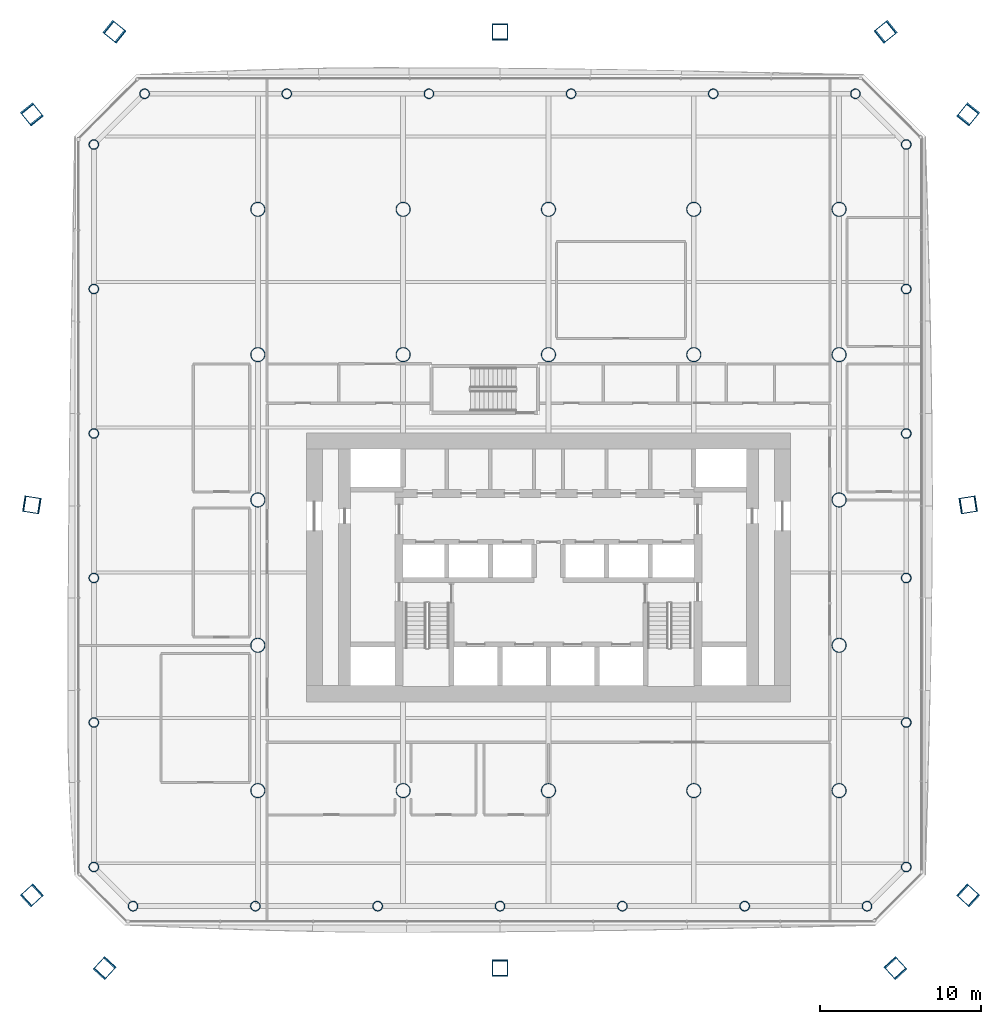
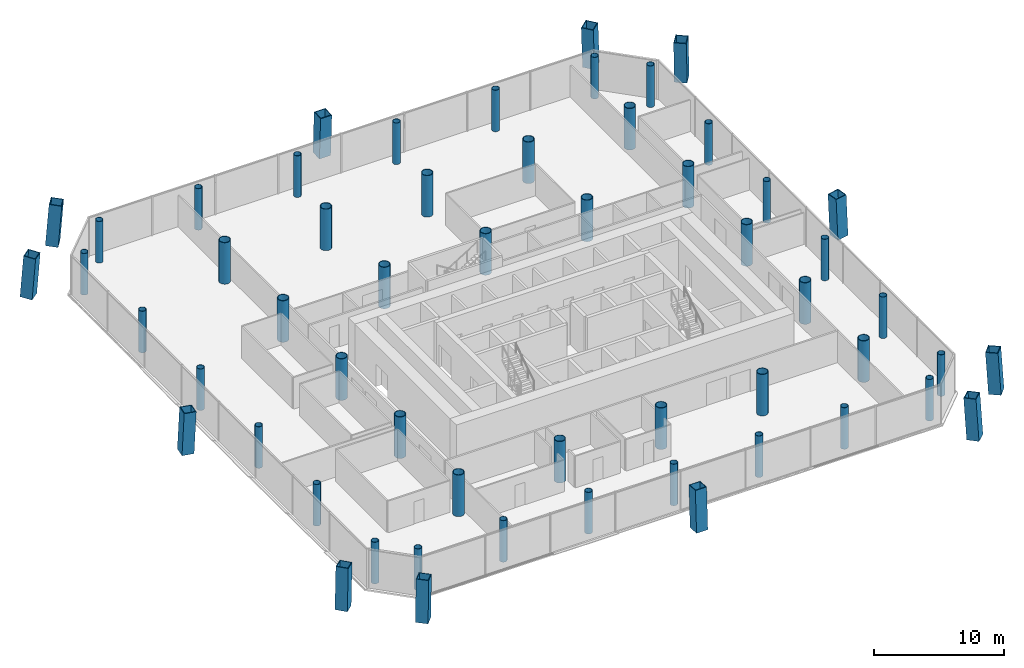
# One storey, part 1 of 20: 56 columns.
"""IFC4 building model written with IfcOpenShell, lengths in metres."""

from ifc_helpers import new_model, si_unit, direction, frame, origin, origin_2d, place, context, subcontext, project, spatial, hollow_rectangle, hollow_circle, extrude, material, material_profile, profile_set, type_object, element, save


model = new_model("IFC4")

# Units and contexts
model_context = context("Model", 3, precision=1e-05, world=origin(), true_north=direction((0.0, 1.0)))
body_context = subcontext(model_context, "Body", "Model", "MODEL_VIEW")
ifc_project = project(units=[si_unit("LENGTHUNIT", "METRE"), si_unit("AREAUNIT", "SQUARE_METRE"), si_unit("VOLUMEUNIT", "CUBIC_METRE"), si_unit("PLANEANGLEUNIT", "RADIAN"), si_unit("MASSUNIT", "GRAM", prefix="KILO")], contexts=[model_context])

# Site, building, storey
site_placement = place(None, origin())
site = spatial("IfcSite", under=ifc_project, at=site_placement, CompositionType="ELEMENT")
building_placement = place(site_placement, origin())
building = spatial("IfcBuilding", under=site, at=building_placement, Name="Tskaro Facet Tower", CompositionType="ELEMENT")
storey_placement = place(building_placement, frame((0.0, 0.0, 49.800048828125)))
storey = spatial("IfcBuildingStorey", under=building, at=storey_placement, Name="L11", CompositionType="ELEMENT", Elevation=49.800048828125)

# Columns
ifc_material_1 = material(Name="Steel S460M", Category="steel")
ifc_material_profile_1 = material_profile(ifc_material_1, hollow_rectangle(XDim=1.0, YDim=1.0, WallThickness=0.06005859375, at=origin_2d()), Name="BOX 1000x1000x60")
ifc_profile_set_1 = profile_set([ifc_material_profile_1], Name="Steel S460M")
column_type_1 = type_object("IfcColumnType", Name="BOX 1000x1000x60 mega column", PredefinedType="COLUMN", material=ifc_profile_set_1)
column_1_placement = place(storey_placement, frame((-27.513916015625, -29.02392578125, 0.0), z_axis=(0.042734014709, 0.04654508912, 0.998001682697), x_axis=(-0.736620357353, 0.676306475744, 0.0)))
element("IfcColumn", 1, at=column_1_placement, inside=storey, type_object=column_type_1, Name="BOX 1000x1000x60 MC01/1", PredefinedType="COLUMN", context=body_context, shape_type="SweptSolid", body=[
    extrude(hollow_rectangle(XDim=1.0, YDim=1.0, WallThickness=0.06005859375, at=origin_2d()), origin(), (0.0, 0.0, 1.0), 3.90771484375),
])
column_2_placement = place(storey_placement, frame((-3.0, -29.02392578125, 0.0), z_axis=(0.0, 0.046587647648, 0.998914206069), x_axis=(-1.0, 0.0, 0.0)))
element("IfcColumn", 2, at=column_2_placement, inside=storey, type_object=column_type_1, Name="BOX 1000x1000x60 MC02/1", PredefinedType="COLUMN", context=body_context, shape_type="SweptSolid", body=[
    extrude(hollow_rectangle(XDim=1.0, YDim=1.0, WallThickness=0.06005859375, at=origin_2d()), origin(), (0.0, 0.0, 1.0), 3.904052734375),
])
for number, where, z_axis, x_axis, name in (
    (3, (21.513916015625, -29.02392578125, 0.0), (-0.042734014709, 0.04654508912, 0.998001682697), (-0.736620357353, -0.676306475744, 0.0), "BOX 1000x1000x60 MC03/1"),
    (4, (26.02392578125, -24.513916015625, 0.0), (-0.04654508912, 0.042734014709, 0.998001682697), (-0.676306475744, -0.736620357353, 0.0), "BOX 1000x1000x60 MC04/1"),
):
    element("IfcColumn", number, at=place(storey_placement, frame(where, z_axis=z_axis, x_axis=x_axis)), inside=storey, type_object=column_type_1, Name=name, PredefinedType="COLUMN", context=body_context, shape_type="SweptSolid", body=[
        extrude(hollow_rectangle(XDim=1.0, YDim=1.0, WallThickness=0.06005859375, at=origin_2d()), origin(), (0.0, 0.0, 1.0), 3.90771484375),
    ])
column_3_placement = place(storey_placement, frame((26.02392578125, -0.299072265625, 0.0), z_axis=(-0.046586379365, -0.007378782235, 0.998887012044), x_axis=(0.15643911056, -0.987687604806, 0.0)))
element("IfcColumn", 5, at=column_3_placement, inside=storey, type_object=column_type_1, Name="BOX 1000x1000x60 MC05/1", PredefinedType="COLUMN", context=body_context, shape_type="SweptSolid", body=[
    extrude(hollow_rectangle(XDim=1.0, YDim=1.0, WallThickness=0.06005859375, at=origin_2d()), origin(), (0.0, 0.0, 1.0), 3.904296875),
])
for number, where, z_axis, x_axis, name in (
    (6, (26.02392578125, 23.916015625, 0.0), (-0.046509736201, -0.057809417077, 0.99724365916), (0.779141980058, -0.626847489356, 0.0), "BOX 1000x1000x60 MC06/1"),
    (7, (20.916015625, 29.02392578125, 0.0), (-0.057809417077, -0.046509736201, 0.99724365916), (0.626847489356, -0.779141980058, 0.0), "BOX 1000x1000x60 MC07/1"),
):
    element("IfcColumn", number, at=place(storey_placement, frame(where, z_axis=z_axis, x_axis=x_axis)), inside=storey, type_object=column_type_1, Name=name, PredefinedType="COLUMN", context=body_context, shape_type="SweptSolid", body=[
        extrude(hollow_rectangle(XDim=1.0, YDim=1.0, WallThickness=0.06005859375, at=origin_2d()), origin(), (0.0, 0.0, 1.0), 3.91064453125),
    ])
column_4_placement = place(storey_placement, frame((-3.0, 29.02392578125, 0.0), z_axis=(0.0, -0.046587647648, 0.998914206069), x_axis=(1.0, 0.0, 0.0)))
element("IfcColumn", 8, at=column_4_placement, inside=storey, type_object=column_type_1, Name="BOX 1000x1000x60 MC08/1", PredefinedType="COLUMN", context=body_context, shape_type="SweptSolid", body=[
    extrude(hollow_rectangle(XDim=1.0, YDim=1.0, WallThickness=0.06005859375, at=origin_2d()), origin(), (0.0, 0.0, 1.0), 3.904052734375),
])
for number, where, z_axis, x_axis, name in (
    (9, (-26.916015625, 29.02392578125, 0.0), (0.057809417077, -0.046509736201, 0.99724365916), (0.626847489356, 0.779141980058, 0.0), "BOX 1000x1000x60 MC09/1"),
    (10, (-32.02392578125, 23.916015625, 0.0), (0.046509736201, -0.057809417077, 0.99724365916), (0.779141980058, 0.626847489356, 0.0), "BOX 1000x1000x60 MC10/1"),
):
    element("IfcColumn", number, at=place(storey_placement, frame(where, z_axis=z_axis, x_axis=x_axis)), inside=storey, type_object=column_type_1, Name=name, PredefinedType="COLUMN", context=body_context, shape_type="SweptSolid", body=[
        extrude(hollow_rectangle(XDim=1.0, YDim=1.0, WallThickness=0.06005859375, at=origin_2d()), origin(), (0.0, 0.0, 1.0), 3.91064453125),
    ])
column_5_placement = place(storey_placement, frame((-32.02392578125, -0.299072265625, 0.0), z_axis=(0.046586379365, -0.007378782235, 0.998887012044), x_axis=(0.15643911056, 0.987687604806, 0.0)))
element("IfcColumn", 11, at=column_5_placement, inside=storey, type_object=column_type_1, Name="BOX 1000x1000x60 MC11/1", PredefinedType="COLUMN", context=body_context, shape_type="SweptSolid", body=[
    extrude(hollow_rectangle(XDim=1.0, YDim=1.0, WallThickness=0.06005859375, at=origin_2d()), origin(), (0.0, 0.0, 1.0), 3.904296875),
])
column_6_placement = place(storey_placement, frame((-32.02392578125, -24.513916015625, 0.0), z_axis=(0.04654508912, 0.042734014709, 0.998001682697), x_axis=(-0.676306475744, 0.736620357353, 0.0)))
element("IfcColumn", 12, at=column_6_placement, inside=storey, type_object=column_type_1, Name="BOX 1000x1000x60 MC12/1", PredefinedType="COLUMN", context=body_context, shape_type="SweptSolid", body=[
    extrude(hollow_rectangle(XDim=1.0, YDim=1.0, WallThickness=0.06005859375, at=origin_2d()), origin(), (0.0, 0.0, 1.0), 3.90771484375),
])
ifc_material_2 = material(Name="Steel S355J2H", Category="steel")
ifc_material_profile_2 = material_profile(ifc_material_2, hollow_circle(Radius=0.304931640625, WallThickness=0.030029296875, at=origin_2d()), Name="CHS 610x30")
ifc_profile_set_2 = profile_set([ifc_material_profile_2], Name="Steel S355J2H")
column_type_2 = type_object("IfcColumnType", Name="CHS 610x30 ring column", PredefinedType="COLUMN", material=ifc_profile_set_2)
for number, where, z_axis, x_axis, name in (
    (13, (-25.72900390625, -25.156982421875, 0.0), (0.0, 0.0, 1.0), (1.0, 0.0, 0.0), "CHS 610x30 RS-1/1"),
    (14, (-18.153076171875, -25.156982421875, 0.0), (0.0, 0.0, 1.0), (1.0, 0.0, 0.0), "CHS 610x30 RS-2/1"),
    (15, (-10.575927734375, -25.156982421875, 0.0), (0.0, 0.0, 1.0), (1.0, 0.0, 0.0), "CHS 610x30 RS-3/1"),
    (16, (-3.0, -25.156982421875, 0.0), (0.0, 0.0, 1.0), (1.0, 0.0, 0.0), "CHS 610x30 RS-4/1"),
    (17, (4.575927734375, -25.156982421875, 0.0), (0.0, 0.0, 1.0), (1.0, 0.0, 0.0), "CHS 610x30 RS-5/1"),
    (18, (12.153076171875, -25.156982421875, 0.0), (0.0, 0.0, 1.0), (1.0, 0.0, 0.0), "CHS 610x30 RS-6/1"),
    (19, (19.72900390625, -25.156982421875, 0.0), (0.0, 0.0, 1.0), (1.0, 0.0, 0.0), "CHS 610x30 RSE-1/1"),
    (20, (22.156982421875, -22.72900390625, 0.0), (0.0, 0.0, 1.0), (1.0, 0.0, 0.0), "CHS 610x30 RE-1/1"),
    (21, (22.156982421875, -13.781005859375, 0.0), (0.0, 0.0, 1.0), (1.0, 0.0, 0.0), "CHS 610x30 RE-2/1"),
    (22, (22.156982421875, -4.8330078125, 0.0), (0.0, 0.0, 1.0), (1.0, 0.0, 0.0), "CHS 610x30 RE-3/1"),
    (23, (22.156982421875, 4.115966796875, 0.0), (0.0, 0.0, 1.0), (1.0, 0.0, 0.0), "CHS 610x30 RE-4/1"),
    (24, (22.156982421875, 13.06396484375, 0.0), (0.0, 0.0, 1.0), (1.0, 0.0, 0.0), "CHS 610x30 RE-5/1"),
    (25, (22.156982421875, 22.011962890625, 0.0), (0.0, 0.0, 1.0), (1.0, 0.0, 0.0), "CHS 610x30 RNE-1/1"),
    (26, (19.011962890625, 25.156982421875, 0.0), (0.0, 0.0, 1.0), (1.0, 0.0, 0.0), "CHS 610x30 RN-1/1"),
    (27, (10.20703125, 25.156982421875, 0.0), (0.0, 0.0, 1.0), (1.0, 0.0, 0.0), "CHS 610x30 RN-2/1"),
    (28, (1.402099609375, 25.156982421875, 0.0), (0.0, 0.0, 1.0), (1.0, 0.0, 0.0), "CHS 610x30 RN-3/1"),
    (29, (-7.402099609375, 25.156982421875, 0.0), (0.0, 0.0, 1.0), (1.0, 0.0, 0.0), "CHS 610x30 RN-4/1"),
    (30, (-16.20703125, 25.156982421875, 0.0), (0.0, 0.0, 1.0), (1.0, 0.0, 0.0), "CHS 610x30 RN-5/1"),
    (31, (-25.011962890625, 25.156982421875, 0.0), (0.0, 0.0, 1.0), (1.0, 0.0, 0.0), "CHS 610x30 RNW-1/1"),
    (32, (-28.156982421875, 22.011962890625, 0.0), (0.0, 0.0, 1.0), (1.0, 0.0, 0.0), "CHS 610x30 RW-1/1"),
    (33, (-28.156982421875, 13.06396484375, 0.0), (0.0, 0.0, 1.0), (1.0, 0.0, 0.0), "CHS 610x30 RW-2/1"),
    (34, (-28.156982421875, 4.115966796875, 0.0), (0.0, 0.0, 1.0), (1.0, 0.0, 0.0), "CHS 610x30 RW-3/1"),
    (35, (-28.156982421875, -4.8330078125, 0.0), (0.0, 0.0, 1.0), (1.0, 0.0, 0.0), "CHS 610x30 RW-4/1"),
    (36, (-28.156982421875, -13.781005859375, 0.0), (0.0, 0.0, 1.0), (1.0, 0.0, 0.0), "CHS 610x30 RW-5/1"),
    (37, (-28.156982421875, -22.72900390625, 0.0), (0.0, 0.0, 1.0), (1.0, 0.0, 0.0), "CHS 610x30 RSW-1/1"),
):
    element("IfcColumn", number, at=place(storey_placement, frame(where, z_axis=z_axis, x_axis=x_axis)), inside=storey, type_object=column_type_2, Name=name, PredefinedType="COLUMN", context=body_context, shape_type="SweptSolid", body=[
        extrude(hollow_circle(Radius=0.304931640625, WallThickness=0.030029296875, at=origin_2d()), origin(), (0.0, 0.0, 1.0), 3.89990234375),
    ])
ifc_material_profile_3 = material_profile(ifc_material_2, hollow_circle(Radius=0.457275390625, WallThickness=0.050048828125, at=origin_2d()), Name="CHS 914.4x50")
ifc_profile_set_3 = profile_set([ifc_material_profile_3], Name="Steel S355J2H")
column_type_3 = type_object("IfcColumnType", Name="CHS 914.4x50 interior column", PredefinedType="COLUMN", material=ifc_profile_set_3)
for number, where, z_axis, x_axis, name in (
    (38, (-18.0, -18.0, 0.0), (0.0, 0.0, 1.0), (1.0, 0.0, 0.0), "CHS 914.4x50 C2B/1"),
    (39, (-18.0, -9.0, 0.0), (0.0, 0.0, 1.0), (1.0, 0.0, 0.0), "CHS 914.4x50 C2C/1"),
    (40, (-18.0, 0.0, 0.0), (0.0, 0.0, 1.0), (1.0, 0.0, 0.0), "CHS 914.4x50 C2D/1"),
    (41, (-18.0, 9.0, 0.0), (0.0, 0.0, 1.0), (1.0, 0.0, 0.0), "CHS 914.4x50 C2E/1"),
    (42, (-18.0, 18.0, 0.0), (0.0, 0.0, 1.0), (1.0, 0.0, 0.0), "CHS 914.4x50 C2F/1"),
    (43, (-9.0, -18.0, 0.0), (0.0, 0.0, 1.0), (1.0, 0.0, 0.0), "CHS 914.4x50 C3B/1"),
    (44, (-9.0, 9.0, 0.0), (0.0, 0.0, 1.0), (1.0, 0.0, 0.0), "CHS 914.4x50 C3E/1"),
    (45, (-9.0, 18.0, 0.0), (0.0, 0.0, 1.0), (1.0, 0.0, 0.0), "CHS 914.4x50 C3F/1"),
    (46, (0.0, -18.0, 0.0), (0.0, 0.0, 1.0), (1.0, 0.0, 0.0), "CHS 914.4x50 C4B/1"),
    (47, (0.0, 9.0, 0.0), (0.0, 0.0, 1.0), (1.0, 0.0, 0.0), "CHS 914.4x50 C4E/1"),
    (48, (0.0, 18.0, 0.0), (0.0, 0.0, 1.0), (1.0, 0.0, 0.0), "CHS 914.4x50 C4F/1"),
    (49, (9.0, -18.0, 0.0), (0.0, 0.0, 1.0), (1.0, 0.0, 0.0), "CHS 914.4x50 C5B/1"),
    (50, (9.0, 9.0, 0.0), (0.0, 0.0, 1.0), (1.0, 0.0, 0.0), "CHS 914.4x50 C5E/1"),
    (51, (9.0, 18.0, 0.0), (0.0, 0.0, 1.0), (1.0, 0.0, 0.0), "CHS 914.4x50 C5F/1"),
    (52, (18.0, -18.0, 0.0), (0.0, 0.0, 1.0), (1.0, 0.0, 0.0), "CHS 914.4x50 C6B/1"),
    (53, (18.0, -9.0, 0.0), (0.0, 0.0, 1.0), (1.0, 0.0, 0.0), "CHS 914.4x50 C6C/1"),
    (54, (18.0, 0.0, 0.0), (0.0, 0.0, 1.0), (1.0, 0.0, 0.0), "CHS 914.4x50 C6D/1"),
    (55, (18.0, 9.0, 0.0), (0.0, 0.0, 1.0), (1.0, 0.0, 0.0), "CHS 914.4x50 C6E/1"),
    (56, (18.0, 18.0, 0.0), (0.0, 0.0, 1.0), (1.0, 0.0, 0.0), "CHS 914.4x50 C6F/1"),
):
    element("IfcColumn", number, at=place(storey_placement, frame(where, z_axis=z_axis, x_axis=x_axis)), inside=storey, type_object=column_type_3, Name=name, PredefinedType="COLUMN", context=body_context, shape_type="SweptSolid", body=[
        extrude(hollow_circle(Radius=0.457275390625, WallThickness=0.050048828125, at=origin_2d()), origin(), (0.0, 0.0, 1.0), 3.89990234375),
    ])

save(model, "model.ifc")
